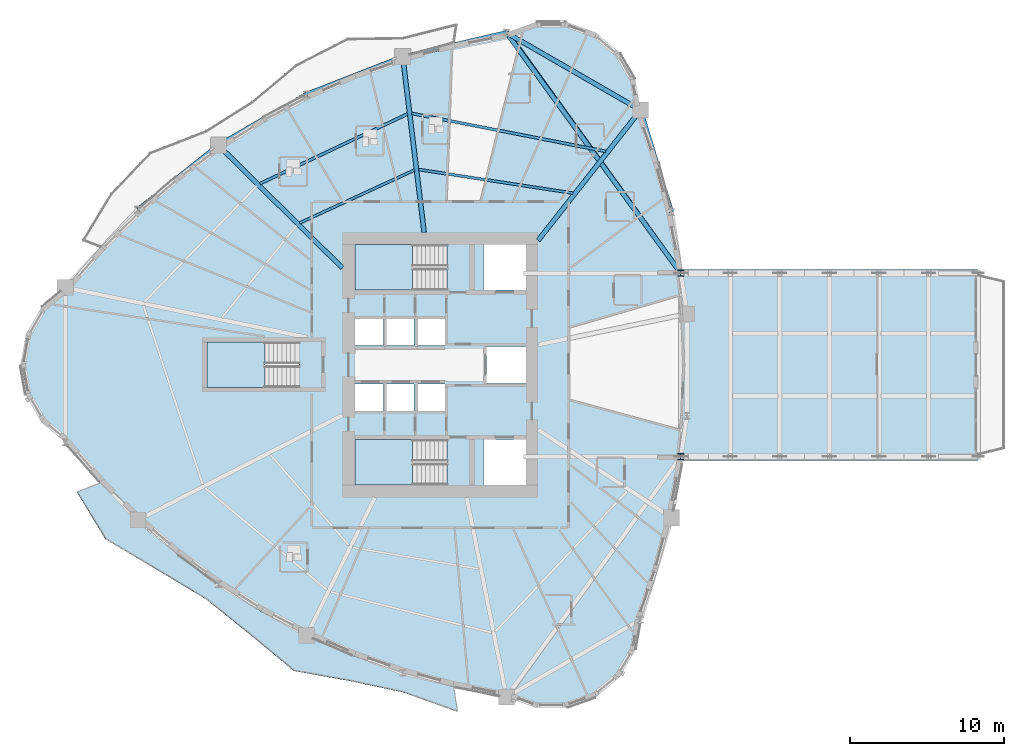
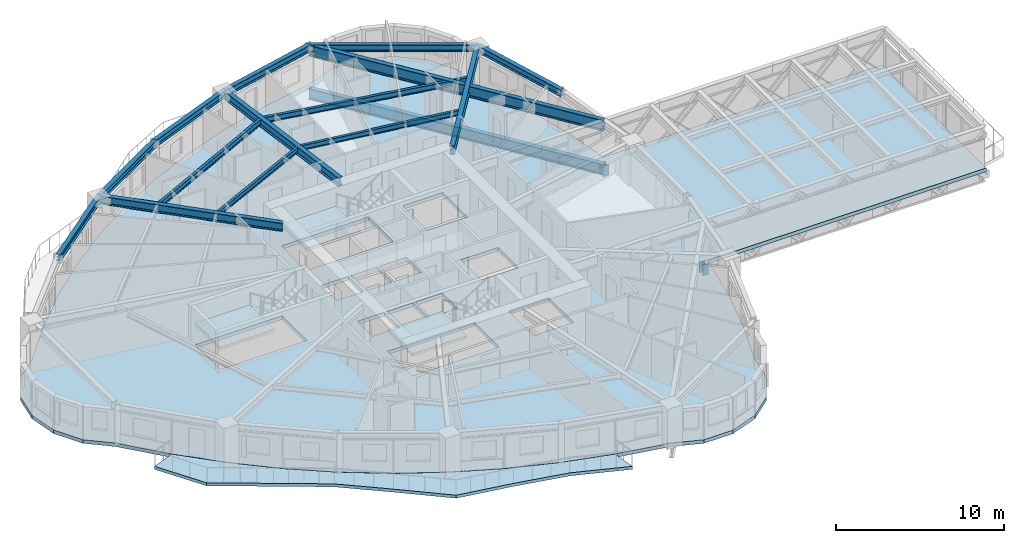
# One storey, part 3 of 18: 15 beams, 5 slabs, 2 members, 3 elements without a shape of their own.
"""IFC4 building model written with IfcOpenShell, lengths in metres."""

from ifc_helpers import new_model, si_unit, direction, frame, origin, origin_2d, place, context, subcontext, project, spatial, polyline, i_section, outline, extrude, source, transform, mapped, material, layer, layer_set, material_profile, profile_set, type_object, element, aggregate, save


model = new_model("IFC4")

# Units and contexts
model_context = context("Model", 3, precision=1e-05, world=origin(), true_north=direction((0.0, 1.0)))
body_context = subcontext(model_context, "Body", "Model", "MODEL_VIEW")
ifc_project = project(units=[si_unit("LENGTHUNIT", "METRE"), si_unit("AREAUNIT", "SQUARE_METRE"), si_unit("VOLUMEUNIT", "CUBIC_METRE"), si_unit("PLANEANGLEUNIT", "RADIAN"), si_unit("MASSUNIT", "GRAM", prefix="KILO")], contexts=[model_context])

# Site, building, storey
site_placement = place(None, origin())
site = spatial("IfcSite", under=ifc_project, at=site_placement, CompositionType="ELEMENT")
building_placement = place(site_placement, origin())
building = spatial("IfcBuilding", under=site, at=building_placement, Name="Qafzar Sky-Pleat Residences", CompositionType="ELEMENT")
storey_placement = place(building_placement, frame((0.0, 0.0, 27.0)))
storey = spatial("IfcBuildingStorey", under=building, at=storey_placement, Name="L07", CompositionType="ELEMENT", Elevation=27.0)

# Beams
ifc_material_1 = material(Name="Steel S355", Category="steel")
ifc_material_profile_1 = material_profile(ifc_material_1, i_section(OverallWidth=0.300048828125, OverallDepth=0.5, WebThickness=0.014404296875, FlangeThickness=0.028076171875, FilletRadius=0.027099609375, at=origin_2d()), Name="HEB 500")
ifc_profile_set_1 = profile_set([ifc_material_profile_1], Name="Steel S355")
beam_type_1 = type_object("IfcBeamType", Name="BM-SPAN-HEB500", PredefinedType="SPANDREL", material=ifc_profile_set_1)
shared_shape_1 = source(origin(), body_context, "Body", "SweptSolid", [
    extrude(i_section(OverallWidth=0.300048828125, OverallDepth=0.5, WebThickness=0.014404296875, FlangeThickness=0.028076171875, FilletRadius=0.027099609375, at=origin_2d()), origin(), (0.0, 0.0, 1.0), 10.0458984375),
])
beam_1_placement = place(storey_placement, frame((43.344970703125, 42.532470703125, 2.68310546875), z_axis=(-0.866024107753, 0.500002244785, 0.0), x_axis=(-0.500002244785, -0.866024107753, 0.0)))
element("IfcBeam", 1, at=beam_1_placement, inside=storey, type_object=beam_type_1, Name="L07 Perimeter Spandrel Beam 13", PredefinedType="SPANDREL", context=body_context, shape_type="MappedRepresentation", body=[
    mapped(shared_shape_1, transform((0.0, 0.0, 0.0), x_axis=(1.0, 0.0, 0.0), y_axis=(0.0, 1.0, 0.0), z_axis=(0.0, 0.0, 1.0), scale=1.0)),
])
shared_shape_2 = source(origin(), body_context, "Body", "SweptSolid", [
    extrude(i_section(OverallWidth=0.300048828125, OverallDepth=0.5, WebThickness=0.014404296875, FlangeThickness=0.028076171875, FilletRadius=0.027099609375, at=origin_2d()), origin(), (0.0, 0.0, 1.0), 6.689208984375),
])
beam_2_placement = place(storey_placement, frame((15.956298828125, 40.247314453125, 2.68310546875), z_axis=(-0.781064615855, -0.624450210872, 0.0), x_axis=(0.624450210872, -0.781064615855, 0.0)))
element("IfcBeam", 2, at=beam_2_placement, inside=storey, type_object=beam_type_1, Name="L07 Perimeter Spandrel Beam 17", PredefinedType="SPANDREL", context=body_context, shape_type="MappedRepresentation", body=[
    mapped(shared_shape_2, transform((0.0, 0.0, 0.0), x_axis=(1.0, 0.0, 0.0), y_axis=(0.0, 1.0, 0.0), z_axis=(0.0, 0.0, 1.0), scale=1.0)),
])
shared_shape_3 = source(origin(), body_context, "Body", "SweptSolid", [
    extrude(i_section(OverallWidth=0.300048828125, OverallDepth=0.5, WebThickness=0.014404296875, FlangeThickness=0.028076171875, FilletRadius=0.027099609375, at=origin_2d()), origin(), (0.0, 0.0, 1.0), 6.61279296875),
])
beam_3_placement = place(storey_placement, frame((21.68310546875, 43.553955078125, 2.68310546875), z_axis=(-0.866007902399, -0.500030312064, 0.0), x_axis=(0.500030312064, -0.866007902399, 0.0)))
element("IfcBeam", 3, at=beam_3_placement, inside=storey, type_object=beam_type_1, Name="L07 Perimeter Spandrel Beam 16", PredefinedType="SPANDREL", context=body_context, shape_type="MappedRepresentation", body=[
    mapped(shared_shape_3, transform((0.0, 0.0, 0.0), x_axis=(1.0, 0.0, 0.0), y_axis=(0.0, 1.0, 0.0), z_axis=(0.0, 0.0, 1.0), scale=1.0)),
])
shared_shape_4 = source(origin(), body_context, "Body", "SweptSolid", [
    extrude(i_section(OverallWidth=0.300048828125, OverallDepth=0.5, WebThickness=0.014404296875, FlangeThickness=0.028076171875, FilletRadius=0.027099609375, at=origin_2d()), origin(), (0.0, 0.0, 1.0), 6.68896484375),
])
beam_4_placement = place(storey_placement, frame((27.912841796875, 45.989990234375, 2.68310546875), z_axis=(-0.931328375536, -0.364180527927, 0.0), x_axis=(0.364180527927, -0.931328375536, 0.0)))
element("IfcBeam", 4, at=beam_4_placement, inside=storey, type_object=beam_type_1, Name="L07 Perimeter Spandrel Beam 15", PredefinedType="SPANDREL", context=body_context, shape_type="MappedRepresentation", body=[
    mapped(shared_shape_4, transform((0.0, 0.0, 0.0), x_axis=(1.0, 0.0, 0.0), y_axis=(0.0, 1.0, 0.0), z_axis=(0.0, 0.0, 1.0), scale=1.0)),
])
shared_shape_5 = source(origin(), body_context, "Body", "SweptSolid", [
    extrude(i_section(OverallWidth=0.300048828125, OverallDepth=0.5, WebThickness=0.014404296875, FlangeThickness=0.028076171875, FilletRadius=0.027099609375, at=origin_2d()), origin(), (0.0, 0.0, 1.0), 6.911865234375),
])
for number, where, z_axis, x_axis, name in (
    (5, (45.355224609375, 35.91943359375, 2.68310546875), (-0.290842539179, 0.956770932566, 0.0), (-0.956770932566, -0.290842539179, 0.0), "L07 Perimeter Spandrel Beam 12"),
    (6, (34.64501953125, 47.555419921875, 2.68310546875), (-0.97401418861, -0.226486998273, 0.0), (0.226486998273, -0.97401418861, 0.0), "L07 Perimeter Spandrel Beam 14"),
):
    element("IfcBeam", number, at=place(storey_placement, frame(where, z_axis=z_axis, x_axis=x_axis)), inside=storey, type_object=beam_type_1, Name=name, PredefinedType="SPANDREL", context=body_context, shape_type="MappedRepresentation", body=[
        mapped(shared_shape_5, transform((0.0, 0.0, 0.0), x_axis=(1.0, 0.0, 0.0), y_axis=(0.0, 1.0, 0.0), z_axis=(0.0, 0.0, 1.0), scale=1.0)),
    ])
ifc_material_profile_2 = material_profile(ifc_material_1, i_section(OverallWidth=0.300048828125, OverallDepth=0.60009765625, WebThickness=0.015380859375, FlangeThickness=0.030029296875, FilletRadius=0.027099609375, at=origin_2d()), Name="HEB 600")
ifc_profile_set_2 = profile_set([ifc_material_profile_2], Name="Steel S355")
beam_type_2 = type_object("IfcBeamType", Name="BM-GIRD-HEB600", PredefinedType="BEAM", material=ifc_profile_set_2)
shared_shape_6 = source(origin(), body_context, "Body", "SweptSolid", [
    extrude(i_section(OverallWidth=0.300048828125, OverallDepth=0.60009765625, WebThickness=0.015380859375, FlangeThickness=0.030029296875, FilletRadius=0.027099609375, at=origin_2d()), origin(), (0.0, 0.0, 1.0), 10.7529296875),
])
beam_5_placement = place(storey_placement, frame((43.344970703125, 42.532470703125, 2.633056640625), z_axis=(-0.617976963314, -0.786196205036, 0.0), x_axis=(0.786196205036, -0.617976963314, 0.0)))
element("IfcBeam", 7, at=beam_5_placement, inside=storey, type_object=beam_type_2, Name="L07 Radial Floor Girder 13", PredefinedType="BEAM", context=body_context, shape_type="MappedRepresentation", body=[
    mapped(shared_shape_6, transform((0.0, 0.0, 0.0), x_axis=(1.0, 0.0, 0.0), y_axis=(0.0, 1.0, 0.0), z_axis=(0.0, 0.0, 1.0), scale=1.0)),
])
shared_shape_7 = source(origin(), body_context, "Body", "SweptSolid", [
    extrude(i_section(OverallWidth=0.300048828125, OverallDepth=0.60009765625, WebThickness=0.015380859375, FlangeThickness=0.030029296875, FilletRadius=0.027099609375, at=origin_2d()), origin(), (0.0, 0.0, 1.0), 11.47412109375),
])
beam_6_placement = place(storey_placement, frame((27.912841796875, 45.989990234375, 2.633056640625), z_axis=(0.121025228115, -0.992649431652, 0.0), x_axis=(0.992649431652, 0.121025228115, 0.0)))
element("IfcBeam", 8, at=beam_6_placement, inside=storey, type_object=beam_type_2, Name="L07 Radial Floor Girder 15", PredefinedType="BEAM", context=body_context, shape_type="MappedRepresentation", body=[
    mapped(shared_shape_7, transform((0.0, 0.0, 0.0), x_axis=(1.0, 0.0, 0.0), y_axis=(0.0, 1.0, 0.0), z_axis=(0.0, 0.0, 1.0), scale=1.0)),
])
shared_shape_8 = source(origin(), body_context, "Body", "SweptSolid", [
    extrude(i_section(OverallWidth=0.300048828125, OverallDepth=0.60009765625, WebThickness=0.015380859375, FlangeThickness=0.030029296875, FilletRadius=0.027099609375, at=origin_2d()), origin(), (0.0, 0.0, 1.0), 11.31787109375),
])
beam_7_placement = place(storey_placement, frame((15.956298828125, 40.247314453125, 2.633056640625), z_axis=(0.710710748184, -0.703484351224, 0.0), x_axis=(0.703484351224, 0.710710748184, 0.0)))
element("IfcBeam", 9, at=beam_7_placement, inside=storey, type_object=beam_type_2, Name="L07 Radial Floor Girder 17", PredefinedType="BEAM", context=body_context, shape_type="MappedRepresentation", body=[
    mapped(shared_shape_8, transform((0.0, 0.0, 0.0), x_axis=(1.0, 0.0, 0.0), y_axis=(0.0, 1.0, 0.0), z_axis=(0.0, 0.0, 1.0), scale=1.0)),
])
ifc_material_profile_3 = material_profile(ifc_material_1, i_section(OverallWidth=0.179931640625, OverallDepth=0.39990234375, WebThickness=0.008544921875, FlangeThickness=0.013427734375, FilletRadius=0.02099609375, at=origin_2d()), Name="IPE 400")
ifc_profile_set_3 = profile_set([ifc_material_profile_3], Name="Steel S355")
beam_type_3 = type_object("IfcBeamType", Name="BM-JST-IPE400", PredefinedType="JOIST", material=ifc_profile_set_3)
shared_shape_9 = source(origin(), body_context, "Body", "SweptSolid", [
    extrude(i_section(OverallWidth=0.179931640625, OverallDepth=0.39990234375, WebThickness=0.008544921875, FlangeThickness=0.013427734375, FilletRadius=0.02099609375, at=origin_2d()), origin(), (0.0, 0.0, 1.0), 12.83544921875),
])
beam_8_placement = place(storey_placement, frame((41.086181640625, 39.85302734375, 2.73291015625), z_axis=(-0.98136997389, 0.192127495034, 0.0), x_axis=(-0.192127495034, -0.98136997389, 0.0)))
element("IfcBeam", 10, at=beam_8_placement, inside=storey, type_object=beam_type_3, Name="L07 Outer Secondary Floor Joist 7", PredefinedType="JOIST", context=body_context, shape_type="MappedRepresentation", body=[
    mapped(shared_shape_9, transform((0.0, 0.0, 0.0), x_axis=(1.0, 0.0, 0.0), y_axis=(0.0, 1.0, 0.0), z_axis=(0.0, 0.0, 1.0), scale=1.0)),
])
shared_shape_10 = source(origin(), body_context, "Body", "SweptSolid", [
    extrude(i_section(OverallWidth=0.179931640625, OverallDepth=0.39990234375, WebThickness=0.008544921875, FlangeThickness=0.013427734375, FilletRadius=0.02099609375, at=origin_2d()), origin(), (0.0, 0.0, 1.0), 10.599609375),
])
beam_9_placement = place(storey_placement, frame((28.235107421875, 42.287353515625, 2.73291015625), z_axis=(-0.904072428316, -0.427379274602, 0.0), x_axis=(0.427379274602, -0.904072428316, 0.0)))
element("IfcBeam", 11, at=beam_9_placement, inside=storey, type_object=beam_type_3, Name="L07 Outer Secondary Floor Joist 8", PredefinedType="JOIST", context=body_context, shape_type="MappedRepresentation", body=[
    mapped(shared_shape_10, transform((0.0, 0.0, 0.0), x_axis=(1.0, 0.0, 0.0), y_axis=(0.0, 1.0, 0.0), z_axis=(0.0, 0.0, 1.0), scale=1.0)),
])
ifc_material_profile_4 = material_profile(ifc_material_1, i_section(OverallWidth=0.169921875, OverallDepth=0.360107421875, WebThickness=0.008056640625, FlangeThickness=0.0126953125, FilletRadius=0.01806640625, at=origin_2d()), Name="IPE 360")
ifc_profile_set_4 = profile_set([ifc_material_profile_4], Name="Steel S355")
beam_type_4 = type_object("IfcBeamType", Name="BM-JST-IPE360", PredefinedType="JOIST", material=ifc_profile_set_4)
shared_shape_11 = source(origin(), body_context, "Body", "SweptSolid", [
    extrude(i_section(OverallWidth=0.169921875, OverallDepth=0.360107421875, WebThickness=0.008056640625, FlangeThickness=0.0126953125, FilletRadius=0.01806640625, at=origin_2d()), origin(), (0.0, 0.0, 1.0), 10.140869140625),
])
beam_10_placement = place(storey_placement, frame((38.958740234375, 37.142333984375, 2.7529296875), z_axis=(-0.988438399373, 0.15162298851, 0.0), x_axis=(-0.15162298851, -0.988438399373, 0.0)))
element("IfcBeam", 12, at=beam_10_placement, inside=storey, type_object=beam_type_4, Name="L07 Inner Secondary Floor Joist 7", PredefinedType="JOIST", context=body_context, shape_type="MappedRepresentation", body=[
    mapped(shared_shape_11, transform((0.0, 0.0, 0.0), x_axis=(1.0, 0.0, 0.0), y_axis=(0.0, 1.0, 0.0), z_axis=(0.0, 0.0, 1.0), scale=1.0)),
])
shared_shape_12 = source(origin(), body_context, "Body", "SweptSolid", [
    extrude(i_section(OverallWidth=0.169921875, OverallDepth=0.360107421875, WebThickness=0.008056640625, FlangeThickness=0.0126953125, FilletRadius=0.01806640625, at=origin_2d()), origin(), (0.0, 0.0, 1.0), 8.2060546875),
])
beam_11_placement = place(storey_placement, frame((28.678955078125, 38.643798828125, 2.7529296875), z_axis=(-0.908140422144, -0.418665706343, 0.0), x_axis=(0.418665706343, -0.908140422144, 0.0)))
element("IfcBeam", 13, at=beam_11_placement, inside=storey, type_object=beam_type_4, Name="L07 Inner Secondary Floor Joist 8", PredefinedType="JOIST", context=body_context, shape_type="MappedRepresentation", body=[
    mapped(shared_shape_12, transform((0.0, 0.0, 0.0), x_axis=(1.0, 0.0, 0.0), y_axis=(0.0, 1.0, 0.0), z_axis=(0.0, 0.0, 1.0), scale=1.0)),
])

# Members
ifc_material_2 = material(Name="Steel S460", Category="steel")
ifc_material_profile_5 = material_profile(ifc_material_2, i_section(OverallWidth=0.408935546875, OverallDepth=0.425048828125, WebThickness=0.030029296875, FlangeThickness=0.048095703125, FilletRadius=0.014892578125, at=origin_2d()), Name="HD 400x421")
ifc_profile_set_5 = profile_set([ifc_material_profile_5], Name="Steel S460")
member_type = type_object("IfcMemberType", Name="MEM-SB-POST", PredefinedType="POST", material=ifc_profile_set_5)
shared_shape_13 = source(origin(), body_context, "Body", "SweptSolid", [
    extrude(i_section(OverallWidth=0.408935546875, OverallDepth=0.425048828125, WebThickness=0.030029296875, FlangeThickness=0.048095703125, FilletRadius=0.014892578125, at=origin_2d()), origin(), (0.0, 0.0, 1.0), 0.780029296875),
])
for number, where, z_axis, x_axis, name in (
    (14, (45.949951171875, 31.949951171875, -1.06494140625), (0.0, 0.0, 1.0), (1.0, 0.0, 0.0), "SB-1 Root Truss Post L0"),
    (15, (45.949951171875, 20.050048828125, -1.06494140625), (0.0, 0.0, 1.0), (1.0, 0.0, 0.0), "SB-1 Root Truss Post R0"),
):
    element("IfcMember", number, at=place(storey_placement, frame(where, z_axis=z_axis, x_axis=x_axis)), inside=storey, type_object=member_type, Name=name, PredefinedType="POST", context=body_context, shape_type="MappedRepresentation", body=[
        mapped(shared_shape_13, transform((0.0, 0.0, 0.0), x_axis=(1.0, 0.0, 0.0), y_axis=(0.0, 1.0, 0.0), z_axis=(0.0, 0.0, 1.0), scale=1.0)),
    ])

# Beams
ifc_material_profile_6 = material_profile(ifc_material_2, i_section(OverallWidth=0.300048828125, OverallDepth=0.800048828125, WebThickness=0.017578125, FlangeThickness=0.032958984375, FilletRadius=0.030029296875, at=origin_2d()), Name="HEB 800")
ifc_profile_set_6 = profile_set([ifc_material_profile_6], Name="Steel S460")
beam_type_5 = type_object("IfcBeamType", Name="BM-CHORD-HEB800", PredefinedType="BEAM", material=ifc_profile_set_6)
shared_shape_14 = source(origin(), body_context, "Body", "SweptSolid", [
    extrude(i_section(OverallWidth=0.300048828125, OverallDepth=0.800048828125, WebThickness=0.017578125, FlangeThickness=0.032958984375, FilletRadius=0.030029296875, at=origin_2d()), origin(), (0.0, 0.0, 1.0), 19.27001953125),
])
beam_12_placement = place(storey_placement, frame((34.64501953125, 47.555419921875, 2.532958984375), z_axis=(0.586660264458, -0.809833152017, 0.0), x_axis=(0.809833152017, 0.586660264458, 0.0)))
element("IfcBeam", 16, at=beam_12_placement, inside=storey, type_object=beam_type_5, Name="L07 SB-1 Wing-Belt Top Chord L", PredefinedType="BEAM", context=body_context, shape_type="MappedRepresentation", body=[
    mapped(shared_shape_14, transform((0.0, 0.0, 0.0), x_axis=(1.0, 0.0, 0.0), y_axis=(0.0, 1.0, 0.0), z_axis=(0.0, 0.0, 1.0), scale=1.0)),
])
shared_shape_15 = source(origin(), body_context, "Body", "SweptSolid", [
    extrude(i_section(OverallWidth=0.300048828125, OverallDepth=0.800048828125, WebThickness=0.017578125, FlangeThickness=0.032958984375, FilletRadius=0.030029296875, at=origin_2d()), origin(), (0.0, 0.0, 1.0), 19.29248046875),
])
beam_13_placement = place(storey_placement, frame((34.672607421875, 47.60302734375, -0.6669921875), z_axis=(0.584548060087, -0.811359085393, 0.0), x_axis=(0.811359085393, 0.584548060087, 0.0)))
element("IfcBeam", 17, at=beam_13_placement, inside=storey, type_object=beam_type_5, Name="L07 SB-1 Wing-Belt Bottom Chord L", PredefinedType="BEAM", context=body_context, shape_type="MappedRepresentation", body=[
    mapped(shared_shape_15, transform((0.0, 0.0, 0.0), x_axis=(1.0, 0.0, 0.0), y_axis=(0.0, 1.0, 0.0), z_axis=(0.0, 0.0, 1.0), scale=1.0)),
])

# Slab
ifc_material_3 = material(Name="Concrete C40/50", Category="concrete")
ifc_layer_1 = layer(ifc_material_3, 0.219970703125)
ifc_layer_set_1 = layer_set([ifc_layer_1], Name="Concrete C40/50")
slab_type_1 = type_object("IfcSlabType", Name="SLAB-BAL-220", PredefinedType="USERDEFINED", material=ifc_layer_set_1)
slab_1_placement = place(storey_placement, frame((0.0, 0.0, -0.219970703125)))
element("IfcSlab", 18, at=slab_1_placement, inside=storey, type_object=slab_type_1, Name="L07 Pleated Stone Balcony 2", ObjectType="BALCONY", PredefinedType="USERDEFINED", context=body_context, shape_type="SweptSolid", body=[
    extrude(outline(polyline([(10.721435546875, 15.923583984375), (13.27197265625, 13.724609375), (15.948486328125, 11.743408203125), (18.7509765625, 9.97998046875), (21.67919921875, 8.434814453125), (24.733154296875, 7.107421875), (27.91259765625, 5.998046875), (31.218017578125, 5.106689453125), (31.46728515625, 3.48779296875), (27.9072265625, 4.760009765625), (24.4541015625, 5.493408203125), (20.853515625, 6.140869140625), (17.931884765625, 8.5615234375), (15.149169921875, 10.798095703125), (12.013671875, 12.67578125), (8.615478515625, 14.6953125), (6.770263671875, 17.74658203125), (8.296875, 18.340087890625), (10.721435546875, 15.923583984375)])), origin(), (0.0, 0.0, 1.0), 0.219970703125),
])

# Stair, slab
stair_type = type_object("IfcStairType", Name="STAIR-H320", PredefinedType="HALF_TURN_STAIR", material=ifc_material_3)
stair_1_placement = place(storey_placement, origin())
stair_1 = element("IfcStair", 19, at=stair_1_placement, inside=storey, type_object=stair_type, Name="L07 Protected Exit Stair ST1", PredefinedType="HALF_TURN_STAIR")
ifc_layer_2 = layer(ifc_material_3, 0.199951171875)
ifc_layer_set_2 = layer_set([ifc_layer_2], Name="Concrete C40/50")
slab_type_2 = type_object("IfcSlabType", Name="SLAB-LANDING-200", PredefinedType="LANDING", material=ifc_layer_set_2)
slab_2_placement = place(storey_placement, frame((0.0, 0.0, 1.39990234375)))
slab_2 = element("IfcSlab", 20, at=slab_2_placement, type_object=slab_type_2, Name="ST1 landing 1", PredefinedType="LANDING", context=body_context, shape_type="SweptSolid", body=[
    extrude(outline(polyline([(28.56005859375, 21.14990234375), (24.800048828125, 21.14990234375), (24.800048828125, 18.199951171875), (28.56005859375, 18.199951171875), (28.56005859375, 21.14990234375)])), origin(), (0.0, 0.0, 1.0), 0.2001953125),
])
aggregate(stair_1, [slab_2])

stair_2_placement = place(storey_placement, origin())
stair_2 = element("IfcStair", 21, at=stair_2_placement, inside=storey, type_object=stair_type, Name="L07 Protected Exit Stair ST2", PredefinedType="HALF_TURN_STAIR")
slab_3_placement = place(storey_placement, frame((0.0, 0.0, 1.39990234375)))
slab_3 = element("IfcSlab", 22, at=slab_3_placement, type_object=slab_type_2, Name="ST2 landing 1", PredefinedType="LANDING", context=body_context, shape_type="SweptSolid", body=[
    extrude(outline(polyline([(28.56005859375, 33.800048828125), (24.800048828125, 33.800048828125), (24.800048828125, 30.85009765625), (28.56005859375, 30.85009765625), (28.56005859375, 33.800048828125)])), origin(), (0.0, 0.0, 1.0), 0.2001953125),
])
aggregate(stair_2, [slab_3])

stair_3_placement = place(storey_placement, origin())
stair_3 = element("IfcStair", 23, at=stair_3_placement, inside=storey, type_object=stair_type, Name="L07 Protected Exit Stair ST3", PredefinedType="HALF_TURN_STAIR")
slab_4_placement = place(storey_placement, frame((0.0, 0.0, 1.39990234375)))
slab_4 = element("IfcSlab", 24, at=slab_4_placement, type_object=slab_type_2, Name="ST3 landing 1", PredefinedType="LANDING", context=body_context, shape_type="SweptSolid", body=[
    extrude(outline(polyline([(18.9599609375, 27.47509765625), (15.199951171875, 27.47509765625), (15.199951171875, 24.52490234375), (18.9599609375, 24.52490234375), (18.9599609375, 27.47509765625)])), origin(), (0.0, 0.0, 1.0), 0.2001953125),
])
aggregate(stair_3, [slab_4])

# Slab
ifc_layer_3 = layer(ifc_material_3, 0.264892578125)
ifc_layer_set_3 = layer_set([ifc_layer_3], Name="Concrete C40/50")
slab_type_3 = type_object("IfcSlabType", Name="SLAB-SB-265", PredefinedType="FLOOR", material=ifc_layer_set_3)
slab_5_placement = place(storey_placement, frame((0.0, 0.0, -0.264892578125)))
element("IfcSlab", 25, at=slab_5_placement, inside=storey, type_object=slab_type_3, Name="L07 Structural Floor Slab", PredefinedType="FLOOR", context=body_context, shape_type="SweptSolid", body=[
    extrude(outline(polyline([(45.983642578125, 19.386962890625), (45.355224609375, 16.08056640625), (44.475830078125, 12.774169921875), (43.344970703125, 9.467529296875), (42.9951171875, 7.48388671875), (41.988037109375, 5.739501953125), (40.445068359375, 4.444580078125), (38.55224609375, 3.755615234375), (36.537841796875, 3.755615234375), (34.64501953125, 4.444580078125), (31.216064453125, 5.11865234375), (27.912841796875, 6.010009765625), (24.735107421875, 7.119384765625), (21.68310546875, 8.446044921875), (18.7568359375, 9.990478515625), (15.956298828125, 11.752685546875), (13.28125, 13.732421875), (10.731689453125, 15.9296875), (8.30810546875, 18.344482421875), (6.010009765625, 20.97705078125), (4.466796875, 22.271728515625), (3.459716796875, 24.016357421875), (3.110107421875, 26.0), (3.459716796875, 27.983642578125), (4.466796875, 29.728271484375), (6.010009765625, 31.02294921875), (8.30810546875, 33.655517578125), (10.731689453125, 36.0703125), (13.28125, 38.267578125), (15.956298828125, 40.247314453125), (18.7568359375, 42.009521484375), (21.68310546875, 43.553955078125), (24.735107421875, 44.880615234375), (27.912841796875, 45.989990234375), (31.216064453125, 46.88134765625), (34.64501953125, 47.555419921875), (36.537841796875, 48.244384765625), (38.55224609375, 48.244384765625), (40.445068359375, 47.555419921875), (41.988037109375, 46.260498046875), (42.9951171875, 44.51611328125), (43.344970703125, 42.532470703125), (44.475830078125, 39.225830078125), (45.355224609375, 35.91943359375), (45.983642578125, 32.613037109375), (46.03076171875, 32.199951171875), (65.25439453125, 32.199951171875), (65.25439453125, 19.800048828125), (46.03076171875, 19.800048828125), (45.983642578125, 19.386962890625)]), holes=[polyline([(30.797119140625, 21.14990234375), (24.800048828125, 21.14990234375), (24.800048828125, 18.199951171875), (30.797119140625, 18.199951171875), (30.797119140625, 21.14990234375)]), polyline([(30.797119140625, 33.800048828125), (24.800048828125, 33.800048828125), (24.800048828125, 30.85009765625), (30.797119140625, 30.85009765625), (30.797119140625, 33.800048828125)]), polyline([(21.197021484375, 27.47509765625), (15.199951171875, 27.47509765625), (15.199951171875, 24.52490234375), (21.197021484375, 24.52490234375), (21.197021484375, 27.47509765625)]), polyline([(24.800048828125, 22.949951171875), (26.64990234375, 22.949951171875), (26.64990234375, 24.75), (24.800048828125, 24.75), (24.800048828125, 22.949951171875)]), polyline([(26.800048828125, 22.949951171875), (28.64990234375, 22.949951171875), (28.64990234375, 24.75), (26.800048828125, 24.75), (26.800048828125, 22.949951171875)]), polyline([(28.800048828125, 22.949951171875), (30.64990234375, 22.949951171875), (30.64990234375, 24.75), (28.800048828125, 24.75), (28.800048828125, 22.949951171875)]), polyline([(24.800048828125, 27.25), (26.64990234375, 27.25), (26.64990234375, 29.050048828125), (24.800048828125, 29.050048828125), (24.800048828125, 27.25)]), polyline([(26.800048828125, 27.25), (28.64990234375, 27.25), (28.64990234375, 29.050048828125), (26.800048828125, 29.050048828125), (26.800048828125, 27.25)]), polyline([(28.800048828125, 27.25), (30.64990234375, 27.25), (30.64990234375, 29.050048828125), (28.800048828125, 29.050048828125), (28.800048828125, 27.25)]), polyline([(33.14990234375, 18.199951171875), (35.89990234375, 18.199951171875), (35.89990234375, 21.14990234375), (33.14990234375, 21.14990234375), (33.14990234375, 18.199951171875)]), polyline([(33.14990234375, 30.85009765625), (35.89990234375, 30.85009765625), (35.89990234375, 33.800048828125), (33.14990234375, 33.800048828125), (33.14990234375, 30.85009765625)]), polyline([(33.35009765625, 24.800048828125), (35.89990234375, 24.800048828125), (35.89990234375, 27.199951171875), (33.35009765625, 27.199951171875), (33.35009765625, 24.800048828125)])]), origin(), (0.0, 0.0, 1.0), 0.264892578125),
])

save(model, "model.ifc")
